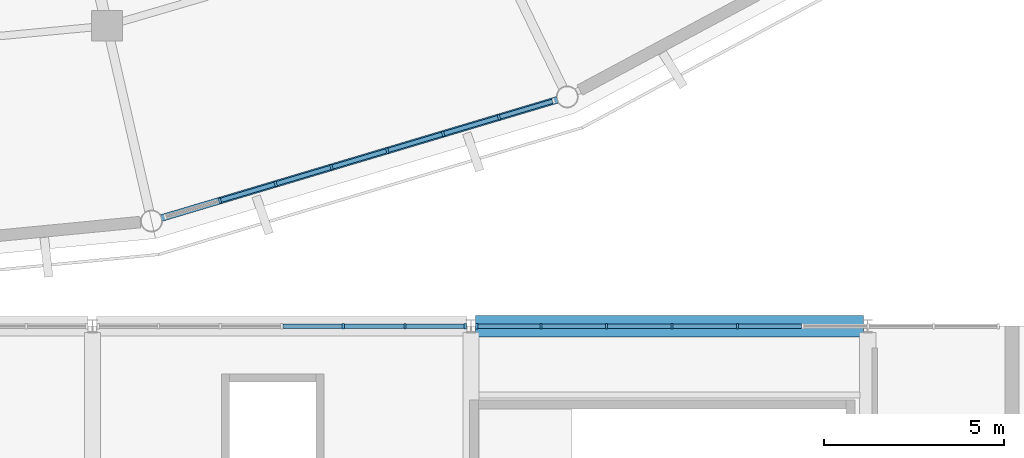
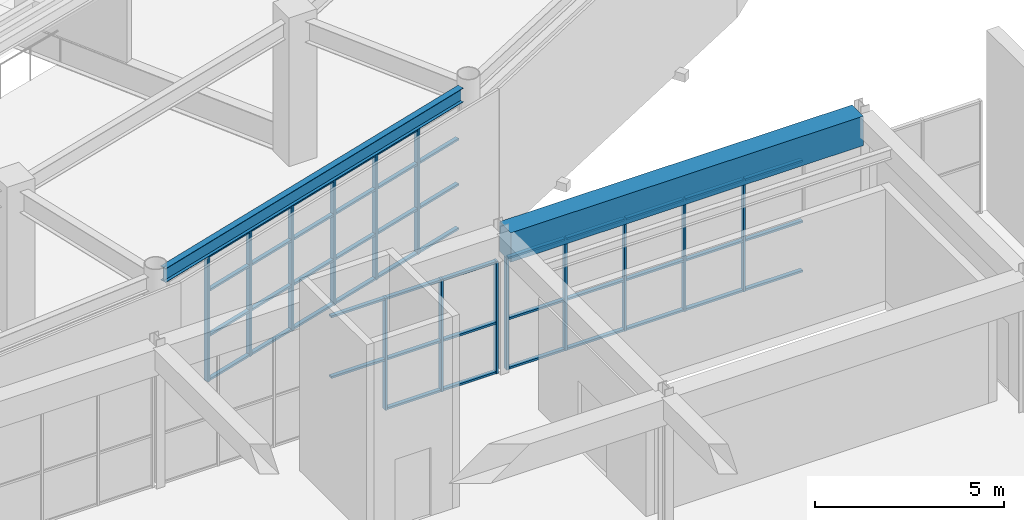
# One storey, part 36 of 122: 60 members, 2 beams, 3 elements without a shape of their own.
"""IFC4 building model written with IfcOpenShell, lengths in metres."""

from ifc_helpers import new_model, si_unit, direction, frame, origin, origin_2d, place, context, subcontext, project, spatial, rectangle, i_section, extrude, material, material_profile, profile_set, type_object, element, aggregate, save


model = new_model("IFC4")

# Units and contexts
model_context = context("Model", 3, precision=1e-05, world=origin(), true_north=direction((0.0, 1.0)))
body_context = subcontext(model_context, "Body", "Model", "MODEL_VIEW")
ifc_project = project(units=[si_unit("LENGTHUNIT", "METRE"), si_unit("AREAUNIT", "SQUARE_METRE"), si_unit("VOLUMEUNIT", "CUBIC_METRE"), si_unit("PLANEANGLEUNIT", "RADIAN"), si_unit("MASSUNIT", "GRAM", prefix="KILO")], contexts=[model_context])

# Site, building, storey
site_placement = place(None, origin())
site = spatial("IfcSite", under=ifc_project, at=site_placement, CompositionType="ELEMENT")
building_placement = place(site_placement, origin())
building = spatial("IfcBuilding", under=site, at=building_placement, Name="Cuetzalor Civic Arena", CompositionType="ELEMENT")
storey_placement = place(building_placement, frame((0.0, 0.0, 16.199951171875)))
storey = spatial("IfcBuildingStorey", under=building, at=storey_placement, Name="L03", CompositionType="ELEMENT", Elevation=16.199951171875)

# Beam
ifc_material_1 = material(Name="Concrete C40/50", Category="concrete")
ifc_material_profile_1 = material_profile(ifc_material_1, rectangle(XDim=0.60009765625, YDim=0.949951171875, at=origin_2d()), Name="RC 600x950")
ifc_profile_set_1 = profile_set([ifc_material_profile_1], Name="Concrete C40/50")
beam_type_1 = type_object("IfcBeamType", Name="ConcreteFrameBeam_600x950", PredefinedType="BEAM", material=ifc_profile_set_1)
beam_1_placement = place(storey_placement, frame((21.118408203125, -48.300048828125, 4.10498046875), z_axis=(1.0, 0.0, 0.0), x_axis=(0.0, 1.0, 0.0)))
element("IfcBeam", 1, at=beam_1_placement, inside=storey, type_object=beam_type_1, Name="Frame Girder V3-L03-X0869", PredefinedType="BEAM", context=body_context, shape_type="SweptSolid", body=[
    extrude(rectangle(XDim=0.60009765625, YDim=0.949951171875, at=origin_2d()), origin(), (0.0, 0.0, 1.0), 10.76318359375),
])

# Curtain wall, members
ifc_material_2 = material(Name="Anodised dark bronze aluminium and low-E solar glass", Category="aluminium")
curtain_wall_type_1 = type_object("IfcCurtainWallType", Name="UnitisedCW_11300x4050", PredefinedType="USERDEFINED", material=ifc_material_2)
curtain_wall_1_placement = place(storey_placement, origin())
curtain_wall_1 = element("IfcCurtainWall", 2, at=curtain_wall_1_placement, inside=storey, type_object=curtain_wall_type_1, Name="Drum Triangle Foyer Curtain Wall L03-054", ObjectType="UNITISED CURTAIN WALL", PredefinedType="USERDEFINED")
ifc_material_3 = material(Name="Anodised dark bronze aluminium", Category="aluminium")
ifc_material_profile_2 = material_profile(ifc_material_3, rectangle(XDim=0.06494140625, YDim=0.14990234375, at=origin_2d()), Name="ALU MULLION 65x150")
ifc_profile_set_2 = profile_set([ifc_material_profile_2], Name="Anodised dark bronze aluminium")
member_type_1 = type_object("IfcMemberType", Name="CurtainWallMullion_60x150", PredefinedType="MULLION", material=ifc_profile_set_2)
member_1_placement = place(storey_placement, frame((21.77392578125, -42.505859375, 0.0), z_axis=(0.0, 0.0, 1.0), x_axis=(-0.958193690548, -0.286120344251, 0.0)))
member_1 = element("IfcMember", 3, at=member_1_placement, type_object=member_type_1, Name="CW-15 mullion 2", PredefinedType="MULLION", context=body_context, shape_type="SweptSolid", body=[
    extrude(rectangle(XDim=0.06494140625, YDim=0.14990234375, at=origin_2d()), origin(), (0.0, 0.0, 1.0), 4.052978515625),
])
member_2_placement = place(storey_placement, frame((20.2255859375, -42.968017578125, 0.0), z_axis=(0.0, 0.0, 1.0), x_axis=(-0.958193690548, -0.286120344251, 0.0)))
member_2 = element("IfcMember", 4, at=member_2_placement, type_object=member_type_1, Name="CW-15 mullion 3", PredefinedType="MULLION", context=body_context, shape_type="SweptSolid", body=[
    extrude(rectangle(XDim=0.06494140625, YDim=0.14990234375, at=origin_2d()), origin(), (0.0, 0.0, 1.0), 4.052978515625),
])
member_3_placement = place(storey_placement, frame((18.677490234375, -43.430419921875, 0.0), z_axis=(0.0, 0.0, 1.0), x_axis=(-0.958193690548, -0.286120344251, 0.0)))
member_3 = element("IfcMember", 5, at=member_3_placement, type_object=member_type_1, Name="CW-15 mullion 4", PredefinedType="MULLION", context=body_context, shape_type="SweptSolid", body=[
    extrude(rectangle(XDim=0.06494140625, YDim=0.14990234375, at=origin_2d()), origin(), (0.0, 0.0, 1.0), 4.052978515625),
])
member_4_placement = place(storey_placement, frame((17.12939453125, -43.892578125, 0.0), z_axis=(0.0, 0.0, 1.0), x_axis=(-0.958193690548, -0.286120344251, 0.0)))
member_4 = element("IfcMember", 6, at=member_4_placement, type_object=member_type_1, Name="CW-15 mullion 5", PredefinedType="MULLION", context=body_context, shape_type="SweptSolid", body=[
    extrude(rectangle(XDim=0.06494140625, YDim=0.14990234375, at=origin_2d()), origin(), (0.0, 0.0, 1.0), 4.052978515625),
])
member_5_placement = place(storey_placement, frame((15.581298828125, -44.35498046875, 0.0), z_axis=(0.0, 0.0, 1.0), x_axis=(-0.958193690548, -0.286120344251, 0.0)))
member_5 = element("IfcMember", 7, at=member_5_placement, type_object=member_type_1, Name="CW-15 mullion 6", PredefinedType="MULLION", context=body_context, shape_type="SweptSolid", body=[
    extrude(rectangle(XDim=0.06494140625, YDim=0.14990234375, at=origin_2d()), origin(), (0.0, 0.0, 1.0), 4.052978515625),
])
member_6_placement = place(storey_placement, frame((14.032958984375, -44.817138671875, 0.0), z_axis=(0.0, 0.0, 1.0), x_axis=(-0.958193690548, -0.286120344251, 0.0)))
member_6 = element("IfcMember", 8, at=member_6_placement, type_object=member_type_1, Name="CW-15 mullion 7", PredefinedType="MULLION", context=body_context, shape_type="SweptSolid", body=[
    extrude(rectangle(XDim=0.06494140625, YDim=0.14990234375, at=origin_2d()), origin(), (0.0, 0.0, 1.0), 4.052978515625),
])

ifc_material_4 = material(Name="Anodised dark bronze aluminium and low-E solar glass", Category="aluminium")
curtain_wall_type_2 = type_object("IfcCurtainWallType", Name="StickCW_10250x3600", PredefinedType="USERDEFINED", material=ifc_material_4)
curtain_wall_2_placement = place(storey_placement, origin())
curtain_wall_2 = element("IfcCurtainWall", 9, at=curtain_wall_2_placement, inside=storey, type_object=curtain_wall_type_2, Name="Foyer North Clerestory Curtain Wall L03-100", ObjectType="STICK CURTAIN WALL", PredefinedType="USERDEFINED")
member_7_placement = place(storey_placement, frame((17.45849609375, -48.300048828125, 0.0), z_axis=(0.0, 0.0, 1.0), x_axis=(1.0, 0.0, 0.0)))
member_7 = element("IfcMember", 10, at=member_7_placement, type_object=member_type_1, Name="CW-29 mullion 5", PredefinedType="MULLION", context=body_context, shape_type="SweptSolid", body=[
    extrude(rectangle(XDim=0.06494140625, YDim=0.14990234375, at=origin_2d()), origin(), (0.0, 0.0, 1.0), 3.6201171875),
])
member_8_placement = place(storey_placement, frame((19.1669921875, -48.300048828125, 0.0), z_axis=(0.0, 0.0, 1.0), x_axis=(1.0, 0.0, 0.0)))
member_8 = element("IfcMember", 11, at=member_8_placement, type_object=member_type_1, Name="CW-29 mullion 6", PredefinedType="MULLION", context=body_context, shape_type="SweptSolid", body=[
    extrude(rectangle(XDim=0.06494140625, YDim=0.14990234375, at=origin_2d()), origin(), (0.0, 0.0, 1.0), 3.6201171875),
])
member_9_placement = place(storey_placement, frame((20.843017578125, -48.300048828125, 0.0), z_axis=(0.0, 0.0, 1.0), x_axis=(1.0, 0.0, 0.0)))
member_9 = element("IfcMember", 12, at=member_9_placement, type_object=member_type_1, Name="CW-29 mullion 7", PredefinedType="MULLION", context=body_context, shape_type="SweptSolid", body=[
    extrude(rectangle(XDim=0.06494140625, YDim=0.14990234375, at=origin_2d()), origin(), (0.0, 0.0, 1.0), 3.6201171875),
])

ifc_material_5 = material(Name="Anodised dark bronze aluminium and low-E solar glass", Category="aluminium")
curtain_wall_type_3 = type_object("IfcCurtainWallType", Name="StickCW_14550x3600", PredefinedType="USERDEFINED", material=ifc_material_5)
curtain_wall_3_placement = place(storey_placement, origin())
curtain_wall_3 = element("IfcCurtainWall", 13, at=curtain_wall_3_placement, inside=storey, type_object=curtain_wall_type_3, Name="Foyer North Clerestory Curtain Wall L03-102", ObjectType="STICK CURTAIN WALL", PredefinedType="USERDEFINED")
member_10_placement = place(storey_placement, frame((21.156982421875, -48.300048828125, 0.0), z_axis=(0.0, 0.0, 1.0), x_axis=(1.0, 0.0, 0.0)))
member_10 = element("IfcMember", 14, at=member_10_placement, type_object=member_type_1, Name="CW-28 mullion 1", PredefinedType="MULLION", context=body_context, shape_type="SweptSolid", body=[
    extrude(rectangle(XDim=0.06494140625, YDim=0.14990234375, at=origin_2d()), origin(), (0.0, 0.0, 1.0), 3.6201171875),
])
member_11_placement = place(storey_placement, frame((22.940185546875, -48.300048828125, 0.0), z_axis=(0.0, 0.0, 1.0), x_axis=(1.0, 0.0, 0.0)))
member_11 = element("IfcMember", 15, at=member_11_placement, type_object=member_type_1, Name="CW-28 mullion 2", PredefinedType="MULLION", context=body_context, shape_type="SweptSolid", body=[
    extrude(rectangle(XDim=0.06494140625, YDim=0.14990234375, at=origin_2d()), origin(), (0.0, 0.0, 1.0), 3.6201171875),
])
member_12_placement = place(storey_placement, frame((24.755859375, -48.300048828125, 0.0), z_axis=(0.0, 0.0, 1.0), x_axis=(1.0, 0.0, 0.0)))
member_12 = element("IfcMember", 16, at=member_12_placement, type_object=member_type_1, Name="CW-28 mullion 3", PredefinedType="MULLION", context=body_context, shape_type="SweptSolid", body=[
    extrude(rectangle(XDim=0.06494140625, YDim=0.14990234375, at=origin_2d()), origin(), (0.0, 0.0, 1.0), 3.6201171875),
])
member_13_placement = place(storey_placement, frame((26.571533203125, -48.300048828125, 0.0), z_axis=(0.0, 0.0, 1.0), x_axis=(1.0, 0.0, 0.0)))
member_13 = element("IfcMember", 17, at=member_13_placement, type_object=member_type_1, Name="CW-28 mullion 4", PredefinedType="MULLION", context=body_context, shape_type="SweptSolid", body=[
    extrude(rectangle(XDim=0.06494140625, YDim=0.14990234375, at=origin_2d()), origin(), (0.0, 0.0, 1.0), 3.6201171875),
])
member_14_placement = place(storey_placement, frame((28.38720703125, -48.300048828125, 0.0), z_axis=(0.0, 0.0, 1.0), x_axis=(1.0, 0.0, 0.0)))
member_14 = element("IfcMember", 18, at=member_14_placement, type_object=member_type_1, Name="CW-28 mullion 5", PredefinedType="MULLION", context=body_context, shape_type="SweptSolid", body=[
    extrude(rectangle(XDim=0.06494140625, YDim=0.14990234375, at=origin_2d()), origin(), (0.0, 0.0, 1.0), 3.6201171875),
])

# Member
ifc_material_6 = material(Name="Anodised dark bronze aluminium", Category="aluminium")
ifc_material_profile_3 = material_profile(ifc_material_6, rectangle(XDim=0.1201171875, YDim=0.06494140625, at=origin_2d()), Name="ALU TRANSOM 65x120")
ifc_profile_set_3 = profile_set([ifc_material_profile_3], Name="Anodised dark bronze aluminium")
member_type_2 = type_object("IfcMemberType", Name="CurtainWallTransom_60x120", PredefinedType="USERDEFINED", material=ifc_profile_set_3)
member_15_placement = place(storey_placement, frame((23.259765625, -42.06201171875, 0.032470703125), z_axis=(-0.958166375169, -0.286211805303, 0.0), x_axis=(0.286211805303, -0.958166375169, 0.0)))
member_15 = element("IfcMember", 19, at=member_15_placement, type_object=member_type_2, Name="CW-15 transom 1.1", ObjectType="TRANSOM", PredefinedType="USERDEFINED", context=body_context, shape_type="SweptSolid", body=[
    extrude(rectangle(XDim=0.1201171875, YDim=0.06494140625, at=origin_2d()), origin(), (0.0, 0.0, 1.0), 1.518310546875),
])

member_16_placement = place(storey_placement, frame((23.259765625, -42.06201171875, 1.458984375), z_axis=(-0.958166375169, -0.286211805303, 0.0), x_axis=(0.286211805303, -0.958166375169, 0.0)))
member_16 = element("IfcMember", 20, at=member_16_placement, type_object=member_type_2, Name="CW-15 transom 1.2", ObjectType="TRANSOM", PredefinedType="USERDEFINED", context=body_context, shape_type="SweptSolid", body=[
    extrude(rectangle(XDim=0.1201171875, YDim=0.06494140625, at=origin_2d()), origin(), (0.0, 0.0, 1.0), 1.518310546875),
])

member_17_placement = place(storey_placement, frame((23.259765625, -42.06201171875, 2.91796875), z_axis=(-0.958166375169, -0.286211805303, 0.0), x_axis=(0.286211805303, -0.958166375169, 0.0)))
member_17 = element("IfcMember", 21, at=member_17_placement, type_object=member_type_2, Name="CW-15 transom 1.3", ObjectType="TRANSOM", PredefinedType="USERDEFINED", context=body_context, shape_type="SweptSolid", body=[
    extrude(rectangle(XDim=0.1201171875, YDim=0.06494140625, at=origin_2d()), origin(), (0.0, 0.0, 1.0), 1.518310546875),
])

member_18_placement = place(storey_placement, frame((21.74267578125, -42.51513671875, 0.032470703125), z_axis=(-0.958206775077, -0.286076521576, 0.0), x_axis=(0.286076521576, -0.958206775077, 0.0)))
member_18 = element("IfcMember", 22, at=member_18_placement, type_object=member_type_2, Name="CW-15 transom 2.1", ObjectType="TRANSOM", PredefinedType="USERDEFINED", context=body_context, shape_type="SweptSolid", body=[
    extrude(rectangle(XDim=0.1201171875, YDim=0.06494140625, at=origin_2d()), origin(), (0.0, 0.0, 1.0), 1.550537109375),
])

member_19_placement = place(storey_placement, frame((21.74267578125, -42.51513671875, 1.458984375), z_axis=(-0.958206775077, -0.286076521576, 0.0), x_axis=(0.286076521576, -0.958206775077, 0.0)))
member_19 = element("IfcMember", 23, at=member_19_placement, type_object=member_type_2, Name="CW-15 transom 2.2", ObjectType="TRANSOM", PredefinedType="USERDEFINED", context=body_context, shape_type="SweptSolid", body=[
    extrude(rectangle(XDim=0.1201171875, YDim=0.06494140625, at=origin_2d()), origin(), (0.0, 0.0, 1.0), 1.550537109375),
])

member_20_placement = place(storey_placement, frame((21.74267578125, -42.51513671875, 2.91796875), z_axis=(-0.958206775077, -0.286076521576, 0.0), x_axis=(0.286076521576, -0.958206775077, 0.0)))
member_20 = element("IfcMember", 24, at=member_20_placement, type_object=member_type_2, Name="CW-15 transom 2.3", ObjectType="TRANSOM", PredefinedType="USERDEFINED", context=body_context, shape_type="SweptSolid", body=[
    extrude(rectangle(XDim=0.1201171875, YDim=0.06494140625, at=origin_2d()), origin(), (0.0, 0.0, 1.0), 1.550537109375),
])

member_21_placement = place(storey_placement, frame((21.74267578125, -42.51513671875, 4.0205078125), z_axis=(-0.958206775077, -0.286076521576, 0.0), x_axis=(0.286076521576, -0.958206775077, 0.0)))
member_21 = element("IfcMember", 25, at=member_21_placement, type_object=member_type_2, Name="CW-15 transom 2.4", ObjectType="TRANSOM", PredefinedType="USERDEFINED", context=body_context, shape_type="SweptSolid", body=[
    extrude(rectangle(XDim=0.1201171875, YDim=0.06494140625, at=origin_2d()), origin(), (0.0, 0.0, 1.0), 1.550537109375),
])

member_22_placement = place(storey_placement, frame((20.194580078125, -42.977294921875, 0.032470703125), z_axis=(-0.958163607379, -0.286221071018, 0.0), x_axis=(0.286221071018, -0.958163607379, 0.0)))
member_22 = element("IfcMember", 26, at=member_22_placement, type_object=member_type_2, Name="CW-15 transom 3.1", ObjectType="TRANSOM", PredefinedType="USERDEFINED", context=body_context, shape_type="SweptSolid", body=[
    extrude(rectangle(XDim=0.1201171875, YDim=0.06494140625, at=origin_2d()), origin(), (0.0, 0.0, 1.0), 1.55078125),
])

member_23_placement = place(storey_placement, frame((20.194580078125, -42.977294921875, 1.458984375), z_axis=(-0.958163607379, -0.286221071018, 0.0), x_axis=(0.286221071018, -0.958163607379, 0.0)))
member_23 = element("IfcMember", 27, at=member_23_placement, type_object=member_type_2, Name="CW-15 transom 3.2", ObjectType="TRANSOM", PredefinedType="USERDEFINED", context=body_context, shape_type="SweptSolid", body=[
    extrude(rectangle(XDim=0.1201171875, YDim=0.06494140625, at=origin_2d()), origin(), (0.0, 0.0, 1.0), 1.55078125),
])

member_24_placement = place(storey_placement, frame((20.194580078125, -42.977294921875, 2.91796875), z_axis=(-0.958163607379, -0.286221071018, 0.0), x_axis=(0.286221071018, -0.958163607379, 0.0)))
member_24 = element("IfcMember", 28, at=member_24_placement, type_object=member_type_2, Name="CW-15 transom 3.3", ObjectType="TRANSOM", PredefinedType="USERDEFINED", context=body_context, shape_type="SweptSolid", body=[
    extrude(rectangle(XDim=0.1201171875, YDim=0.06494140625, at=origin_2d()), origin(), (0.0, 0.0, 1.0), 1.55078125),
])

member_25_placement = place(storey_placement, frame((20.194580078125, -42.977294921875, 4.0205078125), z_axis=(-0.958163607379, -0.286221071018, 0.0), x_axis=(0.286221071018, -0.958163607379, 0.0)))
member_25 = element("IfcMember", 29, at=member_25_placement, type_object=member_type_2, Name="CW-15 transom 3.4", ObjectType="TRANSOM", PredefinedType="USERDEFINED", context=body_context, shape_type="SweptSolid", body=[
    extrude(rectangle(XDim=0.1201171875, YDim=0.06494140625, at=origin_2d()), origin(), (0.0, 0.0, 1.0), 1.55078125),
])

member_26_placement = place(storey_placement, frame((18.646484375, -43.439697265625, 0.032470703125), z_axis=(-0.958219657378, -0.286033369058, 0.0), x_axis=(0.286033369058, -0.958219657378, 0.0)))
member_26 = element("IfcMember", 30, at=member_26_placement, type_object=member_type_2, Name="CW-15 transom 4.1", ObjectType="TRANSOM", PredefinedType="USERDEFINED", context=body_context, shape_type="SweptSolid", body=[
    extrude(rectangle(XDim=0.1201171875, YDim=0.06494140625, at=origin_2d()), origin(), (0.0, 0.0, 1.0), 1.55078125),
])

member_27_placement = place(storey_placement, frame((18.646484375, -43.439697265625, 1.458984375), z_axis=(-0.958219657378, -0.286033369058, 0.0), x_axis=(0.286033369058, -0.958219657378, 0.0)))
member_27 = element("IfcMember", 31, at=member_27_placement, type_object=member_type_2, Name="CW-15 transom 4.2", ObjectType="TRANSOM", PredefinedType="USERDEFINED", context=body_context, shape_type="SweptSolid", body=[
    extrude(rectangle(XDim=0.1201171875, YDim=0.06494140625, at=origin_2d()), origin(), (0.0, 0.0, 1.0), 1.55078125),
])

member_28_placement = place(storey_placement, frame((18.646484375, -43.439697265625, 2.91796875), z_axis=(-0.958219657378, -0.286033369058, 0.0), x_axis=(0.286033369058, -0.958219657378, 0.0)))
member_28 = element("IfcMember", 32, at=member_28_placement, type_object=member_type_2, Name="CW-15 transom 4.3", ObjectType="TRANSOM", PredefinedType="USERDEFINED", context=body_context, shape_type="SweptSolid", body=[
    extrude(rectangle(XDim=0.1201171875, YDim=0.06494140625, at=origin_2d()), origin(), (0.0, 0.0, 1.0), 1.55078125),
])

member_29_placement = place(storey_placement, frame((18.646484375, -43.439697265625, 4.0205078125), z_axis=(-0.958219657378, -0.286033369058, 0.0), x_axis=(0.286033369058, -0.958219657378, 0.0)))
member_29 = element("IfcMember", 33, at=member_29_placement, type_object=member_type_2, Name="CW-15 transom 4.4", ObjectType="TRANSOM", PredefinedType="USERDEFINED", context=body_context, shape_type="SweptSolid", body=[
    extrude(rectangle(XDim=0.1201171875, YDim=0.06494140625, at=origin_2d()), origin(), (0.0, 0.0, 1.0), 1.55078125),
])

member_30_placement = place(storey_placement, frame((17.09814453125, -43.90185546875, 0.032470703125), z_axis=(-0.958163607379, -0.286221071018, 0.0), x_axis=(0.286221071018, -0.958163607379, 0.0)))
member_30 = element("IfcMember", 34, at=member_30_placement, type_object=member_type_2, Name="CW-15 transom 5.1", ObjectType="TRANSOM", PredefinedType="USERDEFINED", context=body_context, shape_type="SweptSolid", body=[
    extrude(rectangle(XDim=0.1201171875, YDim=0.06494140625, at=origin_2d()), origin(), (0.0, 0.0, 1.0), 1.55078125),
])

member_31_placement = place(storey_placement, frame((17.09814453125, -43.90185546875, 1.458984375), z_axis=(-0.958163607379, -0.286221071018, 0.0), x_axis=(0.286221071018, -0.958163607379, 0.0)))
member_31 = element("IfcMember", 35, at=member_31_placement, type_object=member_type_2, Name="CW-15 transom 5.2", ObjectType="TRANSOM", PredefinedType="USERDEFINED", context=body_context, shape_type="SweptSolid", body=[
    extrude(rectangle(XDim=0.1201171875, YDim=0.06494140625, at=origin_2d()), origin(), (0.0, 0.0, 1.0), 1.55078125),
])

member_32_placement = place(storey_placement, frame((17.09814453125, -43.90185546875, 2.91796875), z_axis=(-0.958163607379, -0.286221071018, 0.0), x_axis=(0.286221071018, -0.958163607379, 0.0)))
member_32 = element("IfcMember", 36, at=member_32_placement, type_object=member_type_2, Name="CW-15 transom 5.3", ObjectType="TRANSOM", PredefinedType="USERDEFINED", context=body_context, shape_type="SweptSolid", body=[
    extrude(rectangle(XDim=0.1201171875, YDim=0.06494140625, at=origin_2d()), origin(), (0.0, 0.0, 1.0), 1.55078125),
])

member_33_placement = place(storey_placement, frame((17.09814453125, -43.90185546875, 4.0205078125), z_axis=(-0.958163607379, -0.286221071018, 0.0), x_axis=(0.286221071018, -0.958163607379, 0.0)))
member_33 = element("IfcMember", 37, at=member_33_placement, type_object=member_type_2, Name="CW-15 transom 5.4", ObjectType="TRANSOM", PredefinedType="USERDEFINED", context=body_context, shape_type="SweptSolid", body=[
    extrude(rectangle(XDim=0.1201171875, YDim=0.06494140625, at=origin_2d()), origin(), (0.0, 0.0, 1.0), 1.55078125),
])

member_34_placement = place(storey_placement, frame((15.550048828125, -44.3642578125, 0.032470703125), z_axis=(-0.958206775077, -0.286076521576, 0.0), x_axis=(0.286076521576, -0.958206775077, 0.0)))
member_34 = element("IfcMember", 38, at=member_34_placement, type_object=member_type_2, Name="CW-15 transom 6.1", ObjectType="TRANSOM", PredefinedType="USERDEFINED", context=body_context, shape_type="SweptSolid", body=[
    extrude(rectangle(XDim=0.1201171875, YDim=0.06494140625, at=origin_2d()), origin(), (0.0, 0.0, 1.0), 1.550537109375),
])

member_35_placement = place(storey_placement, frame((15.550048828125, -44.3642578125, 1.458984375), z_axis=(-0.958206775077, -0.286076521576, 0.0), x_axis=(0.286076521576, -0.958206775077, 0.0)))
member_35 = element("IfcMember", 39, at=member_35_placement, type_object=member_type_2, Name="CW-15 transom 6.2", ObjectType="TRANSOM", PredefinedType="USERDEFINED", context=body_context, shape_type="SweptSolid", body=[
    extrude(rectangle(XDim=0.1201171875, YDim=0.06494140625, at=origin_2d()), origin(), (0.0, 0.0, 1.0), 1.550537109375),
])

member_36_placement = place(storey_placement, frame((15.550048828125, -44.3642578125, 2.91796875), z_axis=(-0.958206775077, -0.286076521576, 0.0), x_axis=(0.286076521576, -0.958206775077, 0.0)))
member_36 = element("IfcMember", 40, at=member_36_placement, type_object=member_type_2, Name="CW-15 transom 6.3", ObjectType="TRANSOM", PredefinedType="USERDEFINED", context=body_context, shape_type="SweptSolid", body=[
    extrude(rectangle(XDim=0.1201171875, YDim=0.06494140625, at=origin_2d()), origin(), (0.0, 0.0, 1.0), 1.550537109375),
])

member_37_placement = place(storey_placement, frame((15.550048828125, -44.3642578125, 4.0205078125), z_axis=(-0.958206775077, -0.286076521576, 0.0), x_axis=(0.286076521576, -0.958206775077, 0.0)))
member_37 = element("IfcMember", 41, at=member_37_placement, type_object=member_type_2, Name="CW-15 transom 6.4", ObjectType="TRANSOM", PredefinedType="USERDEFINED", context=body_context, shape_type="SweptSolid", body=[
    extrude(rectangle(XDim=0.1201171875, YDim=0.06494140625, at=origin_2d()), origin(), (0.0, 0.0, 1.0), 1.550537109375),
])

aggregate(curtain_wall_1, [member_1, member_2, member_3, member_4, member_5, member_6, member_15, member_16, member_17, member_18, member_19, member_20, member_21, member_22, member_23, member_24, member_25, member_26, member_27, member_28, member_29, member_30, member_31, member_32, member_33, member_34, member_35, member_36, member_37])

member_38_placement = place(storey_placement, frame((15.782470703125, -48.300048828125, 1.629150390625), z_axis=(1.0, 0.0, 0.0), x_axis=(0.0, 1.0, 0.0)))
member_38 = element("IfcMember", 42, at=member_38_placement, type_object=member_type_2, Name="CW-29 transom 4.2", ObjectType="TRANSOM", PredefinedType="USERDEFINED", context=body_context, shape_type="SweptSolid", body=[
    extrude(rectangle(XDim=0.1201171875, YDim=0.06494140625, at=origin_2d()), origin(), (0.0, 0.0, 1.0), 1.6435546875),
])

member_39_placement = place(storey_placement, frame((15.782470703125, -48.300048828125, 3.587646484375), z_axis=(1.0, 0.0, 0.0), x_axis=(0.0, 1.0, 0.0)))
member_39 = element("IfcMember", 43, at=member_39_placement, type_object=member_type_2, Name="CW-29 transom 4.3", ObjectType="TRANSOM", PredefinedType="USERDEFINED", context=body_context, shape_type="SweptSolid", body=[
    extrude(rectangle(XDim=0.1201171875, YDim=0.06494140625, at=origin_2d()), origin(), (0.0, 0.0, 1.0), 1.6435546875),
])

member_40_placement = place(storey_placement, frame((17.490966796875, -48.300048828125, 0.032470703125), z_axis=(1.0, 0.0, 0.0), x_axis=(0.0, 1.0, 0.0)))
member_40 = element("IfcMember", 44, at=member_40_placement, type_object=member_type_2, Name="CW-29 transom 5.1", ObjectType="TRANSOM", PredefinedType="USERDEFINED", context=body_context, shape_type="SweptSolid", body=[
    extrude(rectangle(XDim=0.1201171875, YDim=0.06494140625, at=origin_2d()), origin(), (0.0, 0.0, 1.0), 1.6435546875),
])

member_41_placement = place(storey_placement, frame((17.490966796875, -48.300048828125, 1.629150390625), z_axis=(1.0, 0.0, 0.0), x_axis=(0.0, 1.0, 0.0)))
member_41 = element("IfcMember", 45, at=member_41_placement, type_object=member_type_2, Name="CW-29 transom 5.2", ObjectType="TRANSOM", PredefinedType="USERDEFINED", context=body_context, shape_type="SweptSolid", body=[
    extrude(rectangle(XDim=0.1201171875, YDim=0.06494140625, at=origin_2d()), origin(), (0.0, 0.0, 1.0), 1.6435546875),
])

member_42_placement = place(storey_placement, frame((17.490966796875, -48.300048828125, 3.587646484375), z_axis=(1.0, 0.0, 0.0), x_axis=(0.0, 1.0, 0.0)))
member_42 = element("IfcMember", 46, at=member_42_placement, type_object=member_type_2, Name="CW-29 transom 5.3", ObjectType="TRANSOM", PredefinedType="USERDEFINED", context=body_context, shape_type="SweptSolid", body=[
    extrude(rectangle(XDim=0.1201171875, YDim=0.06494140625, at=origin_2d()), origin(), (0.0, 0.0, 1.0), 1.6435546875),
])

member_43_placement = place(storey_placement, frame((19.199462890625, -48.300048828125, 0.032470703125), z_axis=(1.0, 0.0, 0.0), x_axis=(0.0, 1.0, 0.0)))
member_43 = element("IfcMember", 47, at=member_43_placement, type_object=member_type_2, Name="CW-29 transom 6.1", ObjectType="TRANSOM", PredefinedType="USERDEFINED", context=body_context, shape_type="SweptSolid", body=[
    extrude(rectangle(XDim=0.1201171875, YDim=0.06494140625, at=origin_2d()), origin(), (0.0, 0.0, 1.0), 1.611083984375),
])

member_44_placement = place(storey_placement, frame((19.199462890625, -48.300048828125, 1.629150390625), z_axis=(1.0, 0.0, 0.0), x_axis=(0.0, 1.0, 0.0)))
member_44 = element("IfcMember", 48, at=member_44_placement, type_object=member_type_2, Name="CW-29 transom 6.2", ObjectType="TRANSOM", PredefinedType="USERDEFINED", context=body_context, shape_type="SweptSolid", body=[
    extrude(rectangle(XDim=0.1201171875, YDim=0.06494140625, at=origin_2d()), origin(), (0.0, 0.0, 1.0), 1.611083984375),
])

member_45_placement = place(storey_placement, frame((19.199462890625, -48.300048828125, 3.587646484375), z_axis=(1.0, 0.0, 0.0), x_axis=(0.0, 1.0, 0.0)))
member_45 = element("IfcMember", 49, at=member_45_placement, type_object=member_type_2, Name="CW-29 transom 6.3", ObjectType="TRANSOM", PredefinedType="USERDEFINED", context=body_context, shape_type="SweptSolid", body=[
    extrude(rectangle(XDim=0.1201171875, YDim=0.06494140625, at=origin_2d()), origin(), (0.0, 0.0, 1.0), 1.611083984375),
])

aggregate(curtain_wall_2, [member_7, member_8, member_9, member_38, member_39, member_40, member_41, member_42, member_43, member_44, member_45])

member_46_placement = place(storey_placement, frame((21.189453125, -48.300048828125, 0.032470703125), z_axis=(1.0, 0.0, 0.0), x_axis=(0.0, 1.0, 0.0)))
member_46 = element("IfcMember", 50, at=member_46_placement, type_object=member_type_2, Name="CW-28 transom 1.1", ObjectType="TRANSOM", PredefinedType="USERDEFINED", context=body_context, shape_type="SweptSolid", body=[
    extrude(rectangle(XDim=0.1201171875, YDim=0.06494140625, at=origin_2d()), origin(), (0.0, 0.0, 1.0), 1.71826171875),
])

member_47_placement = place(storey_placement, frame((21.189453125, -48.300048828125, 1.629150390625), z_axis=(1.0, 0.0, 0.0), x_axis=(0.0, 1.0, 0.0)))
member_47 = element("IfcMember", 51, at=member_47_placement, type_object=member_type_2, Name="CW-28 transom 1.2", ObjectType="TRANSOM", PredefinedType="USERDEFINED", context=body_context, shape_type="SweptSolid", body=[
    extrude(rectangle(XDim=0.1201171875, YDim=0.06494140625, at=origin_2d()), origin(), (0.0, 0.0, 1.0), 1.71826171875),
])

member_48_placement = place(storey_placement, frame((21.189453125, -48.300048828125, 3.587646484375), z_axis=(1.0, 0.0, 0.0), x_axis=(0.0, 1.0, 0.0)))
member_48 = element("IfcMember", 52, at=member_48_placement, type_object=member_type_2, Name="CW-28 transom 1.3", ObjectType="TRANSOM", PredefinedType="USERDEFINED", context=body_context, shape_type="SweptSolid", body=[
    extrude(rectangle(XDim=0.1201171875, YDim=0.06494140625, at=origin_2d()), origin(), (0.0, 0.0, 1.0), 1.71826171875),
])

member_49_placement = place(storey_placement, frame((22.97265625, -48.300048828125, 0.032470703125), z_axis=(1.0, 0.0, 0.0), x_axis=(0.0, 1.0, 0.0)))
member_49 = element("IfcMember", 53, at=member_49_placement, type_object=member_type_2, Name="CW-28 transom 2.1", ObjectType="TRANSOM", PredefinedType="USERDEFINED", context=body_context, shape_type="SweptSolid", body=[
    extrude(rectangle(XDim=0.1201171875, YDim=0.06494140625, at=origin_2d()), origin(), (0.0, 0.0, 1.0), 1.750732421875),
])

member_50_placement = place(storey_placement, frame((22.97265625, -48.300048828125, 1.629150390625), z_axis=(1.0, 0.0, 0.0), x_axis=(0.0, 1.0, 0.0)))
member_50 = element("IfcMember", 54, at=member_50_placement, type_object=member_type_2, Name="CW-28 transom 2.2", ObjectType="TRANSOM", PredefinedType="USERDEFINED", context=body_context, shape_type="SweptSolid", body=[
    extrude(rectangle(XDim=0.1201171875, YDim=0.06494140625, at=origin_2d()), origin(), (0.0, 0.0, 1.0), 1.750732421875),
])

member_51_placement = place(storey_placement, frame((22.97265625, -48.300048828125, 3.587646484375), z_axis=(1.0, 0.0, 0.0), x_axis=(0.0, 1.0, 0.0)))
member_51 = element("IfcMember", 55, at=member_51_placement, type_object=member_type_2, Name="CW-28 transom 2.3", ObjectType="TRANSOM", PredefinedType="USERDEFINED", context=body_context, shape_type="SweptSolid", body=[
    extrude(rectangle(XDim=0.1201171875, YDim=0.06494140625, at=origin_2d()), origin(), (0.0, 0.0, 1.0), 1.750732421875),
])

member_52_placement = place(storey_placement, frame((24.788330078125, -48.300048828125, 0.032470703125), z_axis=(1.0, 0.0, 0.0), x_axis=(0.0, 1.0, 0.0)))
member_52 = element("IfcMember", 56, at=member_52_placement, type_object=member_type_2, Name="CW-28 transom 3.1", ObjectType="TRANSOM", PredefinedType="USERDEFINED", context=body_context, shape_type="SweptSolid", body=[
    extrude(rectangle(XDim=0.1201171875, YDim=0.06494140625, at=origin_2d()), origin(), (0.0, 0.0, 1.0), 1.750732421875),
])

member_53_placement = place(storey_placement, frame((24.788330078125, -48.300048828125, 1.629150390625), z_axis=(1.0, 0.0, 0.0), x_axis=(0.0, 1.0, 0.0)))
member_53 = element("IfcMember", 57, at=member_53_placement, type_object=member_type_2, Name="CW-28 transom 3.2", ObjectType="TRANSOM", PredefinedType="USERDEFINED", context=body_context, shape_type="SweptSolid", body=[
    extrude(rectangle(XDim=0.1201171875, YDim=0.06494140625, at=origin_2d()), origin(), (0.0, 0.0, 1.0), 1.750732421875),
])

member_54_placement = place(storey_placement, frame((24.788330078125, -48.300048828125, 3.587646484375), z_axis=(1.0, 0.0, 0.0), x_axis=(0.0, 1.0, 0.0)))
member_54 = element("IfcMember", 58, at=member_54_placement, type_object=member_type_2, Name="CW-28 transom 3.3", ObjectType="TRANSOM", PredefinedType="USERDEFINED", context=body_context, shape_type="SweptSolid", body=[
    extrude(rectangle(XDim=0.1201171875, YDim=0.06494140625, at=origin_2d()), origin(), (0.0, 0.0, 1.0), 1.750732421875),
])

member_55_placement = place(storey_placement, frame((26.60400390625, -48.300048828125, 0.032470703125), z_axis=(1.0, 0.0, 0.0), x_axis=(0.0, 1.0, 0.0)))
member_55 = element("IfcMember", 59, at=member_55_placement, type_object=member_type_2, Name="CW-28 transom 4.1", ObjectType="TRANSOM", PredefinedType="USERDEFINED", context=body_context, shape_type="SweptSolid", body=[
    extrude(rectangle(XDim=0.1201171875, YDim=0.06494140625, at=origin_2d()), origin(), (0.0, 0.0, 1.0), 1.750732421875),
])

member_56_placement = place(storey_placement, frame((26.60400390625, -48.300048828125, 1.629150390625), z_axis=(1.0, 0.0, 0.0), x_axis=(0.0, 1.0, 0.0)))
member_56 = element("IfcMember", 60, at=member_56_placement, type_object=member_type_2, Name="CW-28 transom 4.2", ObjectType="TRANSOM", PredefinedType="USERDEFINED", context=body_context, shape_type="SweptSolid", body=[
    extrude(rectangle(XDim=0.1201171875, YDim=0.06494140625, at=origin_2d()), origin(), (0.0, 0.0, 1.0), 1.750732421875),
])

member_57_placement = place(storey_placement, frame((26.60400390625, -48.300048828125, 3.587646484375), z_axis=(1.0, 0.0, 0.0), x_axis=(0.0, 1.0, 0.0)))
member_57 = element("IfcMember", 61, at=member_57_placement, type_object=member_type_2, Name="CW-28 transom 4.3", ObjectType="TRANSOM", PredefinedType="USERDEFINED", context=body_context, shape_type="SweptSolid", body=[
    extrude(rectangle(XDim=0.1201171875, YDim=0.06494140625, at=origin_2d()), origin(), (0.0, 0.0, 1.0), 1.750732421875),
])

member_58_placement = place(storey_placement, frame((28.419677734375, -48.300048828125, 0.032470703125), z_axis=(1.0, 0.0, 0.0), x_axis=(0.0, 1.0, 0.0)))
member_58 = element("IfcMember", 62, at=member_58_placement, type_object=member_type_2, Name="CW-28 transom 5.1", ObjectType="TRANSOM", PredefinedType="USERDEFINED", context=body_context, shape_type="SweptSolid", body=[
    extrude(rectangle(XDim=0.1201171875, YDim=0.06494140625, at=origin_2d()), origin(), (0.0, 0.0, 1.0), 1.750732421875),
])

member_59_placement = place(storey_placement, frame((28.419677734375, -48.300048828125, 1.629150390625), z_axis=(1.0, 0.0, 0.0), x_axis=(0.0, 1.0, 0.0)))
member_59 = element("IfcMember", 63, at=member_59_placement, type_object=member_type_2, Name="CW-28 transom 5.2", ObjectType="TRANSOM", PredefinedType="USERDEFINED", context=body_context, shape_type="SweptSolid", body=[
    extrude(rectangle(XDim=0.1201171875, YDim=0.06494140625, at=origin_2d()), origin(), (0.0, 0.0, 1.0), 1.750732421875),
])

member_60_placement = place(storey_placement, frame((28.419677734375, -48.300048828125, 3.587646484375), z_axis=(1.0, 0.0, 0.0), x_axis=(0.0, 1.0, 0.0)))
member_60 = element("IfcMember", 64, at=member_60_placement, type_object=member_type_2, Name="CW-28 transom 5.3", ObjectType="TRANSOM", PredefinedType="USERDEFINED", context=body_context, shape_type="SweptSolid", body=[
    extrude(rectangle(XDim=0.1201171875, YDim=0.06494140625, at=origin_2d()), origin(), (0.0, 0.0, 1.0), 1.750732421875),
])

aggregate(curtain_wall_3, [member_10, member_11, member_12, member_13, member_14, member_46, member_47, member_48, member_49, member_50, member_51, member_52, member_53, member_54, member_55, member_56, member_57, member_58, member_59, member_60])

# Beam
ifc_material_7 = material(Name="Steel S355", Category="steel")
ifc_material_profile_4 = material_profile(ifc_material_7, i_section(OverallWidth=0.18994140625, OverallDepth=0.45703125, WebThickness=0.009033203125, FlangeThickness=0.014404296875, at=origin_2d()), Name="W460x74")
ifc_profile_set_4 = profile_set([ifc_material_profile_4], Name="Steel S355")
beam_type_2 = type_object("IfcBeamType", Name="FacadeSpandrelBeam_W460", PredefinedType="SPANDREL", material=ifc_profile_set_4)
beam_2_placement = place(storey_placement, frame((12.41650390625, -45.2998046875, 4.29150390625), z_axis=(0.958199215373, 0.28610184141, 0.0), x_axis=(-0.28610184141, 0.958199215373, 0.0)))
element("IfcBeam", 65, at=beam_2_placement, inside=storey, type_object=beam_type_2, Name="Drum Perimeter Spandrel L03-S23", PredefinedType="SPANDREL", context=body_context, shape_type="SweptSolid", body=[
    extrude(i_section(OverallWidth=0.18994140625, OverallDepth=0.45703125, WebThickness=0.009033203125, FlangeThickness=0.014404296875, at=origin_2d()), origin(), (0.0, 0.0, 1.0), 11.45263671875),
])

save(model, "model.ifc")
